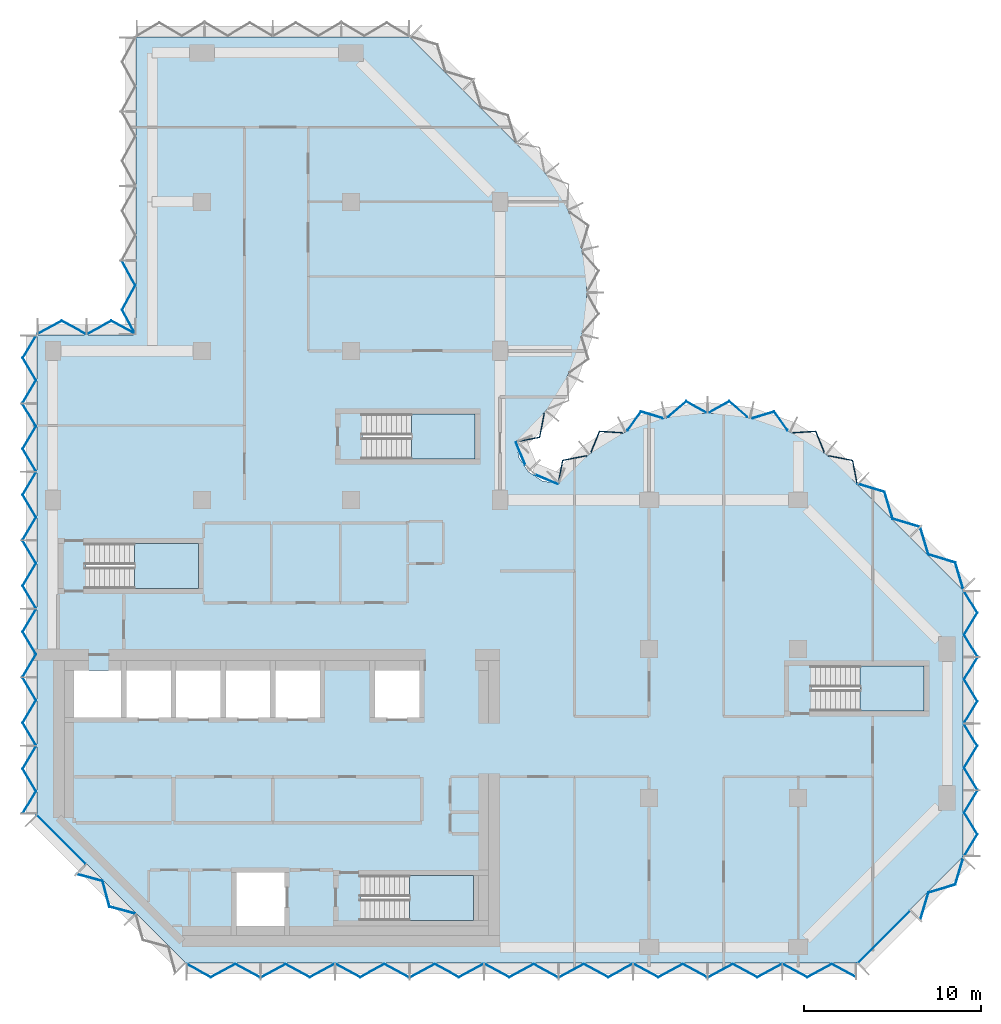
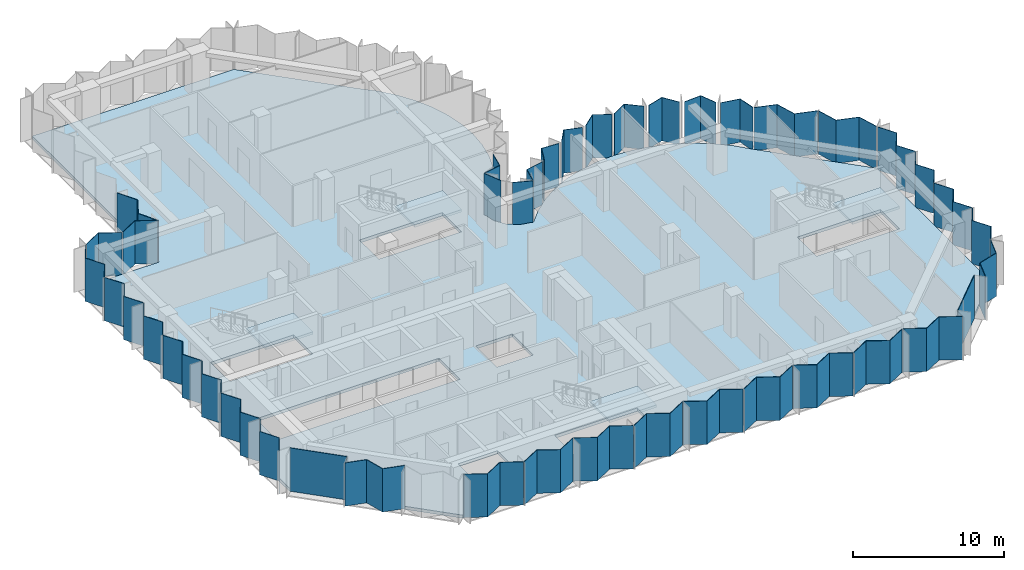
# One storey, part 3 of 10: 40 plates, 5 slabs, 15 elements without a shape of their own.
"""IFC4 building model written with IfcOpenShell, lengths in metres."""

from ifc_helpers import new_model, si_unit, direction, frame, origin, place, context, subcontext, project, spatial, polyline, outline, extrude, material, layer, layer_set, type_object, element, aggregate, save


model = new_model("IFC4")

# Units and contexts
model_context = context("Model", 3, precision=1e-05, world=origin(), true_north=direction((0.0, 1.0)))
body_context = subcontext(model_context, "Body", "Model", "MODEL_VIEW")
ifc_project = project(units=[si_unit("LENGTHUNIT", "METRE"), si_unit("AREAUNIT", "SQUARE_METRE"), si_unit("VOLUMEUNIT", "CUBIC_METRE"), si_unit("PLANEANGLEUNIT", "RADIAN"), si_unit("MASSUNIT", "GRAM", prefix="KILO")], contexts=[model_context])

# Site, building, storey
site_placement = place(None, origin())
site = spatial("IfcSite", under=ifc_project, at=site_placement, CompositionType="ELEMENT")
building_placement = place(site_placement, origin())
building = spatial("IfcBuilding", under=site, at=building_placement, Name="Brevane Broadcast Tower", CompositionType="ELEMENT")
storey_placement = place(building_placement, frame((0.0, 0.0, 195.60009765625)))
storey = spatial("IfcBuildingStorey", under=building, at=storey_placement, Name="L49", CompositionType="ELEMENT", Elevation=195.60009765625)

# Curtain wall, plates
ifc_material_1 = material(Name="Aluminium 6063-T6 bronze anodised", Category="aluminium")
curtain_wall_type = type_object("IfcCurtainWallType", Name="CW-1 curtain wall", PredefinedType="NOTDEFINED", material=ifc_material_1)
curtain_wall_1_placement = place(storey_placement, origin())
curtain_wall_1 = element("IfcCurtainWall", 1, at=curtain_wall_1_placement, inside=storey, type_object=curtain_wall_type, Name="CW-1 typical tilted unit L49 south face", PredefinedType="NOTDEFINED")
ifc_material_2 = material(Name="Laminated glass bronze-tinted", Category="glass")
ifc_layer_1 = layer(ifc_material_2, 0.0400390625)
ifc_layer_set_1 = layer_set([ifc_layer_1], Name="CW tall glass panel 40")
plate_type = type_object("IfcPlateType", Name="CW tall glass panel 40", PredefinedType="CURTAIN_PANEL", material=ifc_layer_set_1)
plate_1_placement = place(storey_placement, frame((0.0, 0.0, -0.150146484375)))
plate_1 = element("IfcPlate", 2, at=plate_1_placement, type_object=plate_type, Name="CW-1 glass panel", PredefinedType="CURTAIN_PANEL", context=body_context, shape_type="SweptSolid", body=[
    extrude(outline(polyline([(7.534912109375, -0.92724609375), (7.534912109375, -0.97265625), (8.91162109375, -1.717041015625), (10.288330078125, -0.97265625), (11.6650390625, -1.717041015625), (11.6650390625, -1.671630859375), (10.288330078125, -0.92724609375), (8.91162109375, -1.671630859375), (7.534912109375, -0.92724609375)])), origin(), (0.0, 0.0, 1.0), 3.5),
])
plate_2_placement = place(storey_placement, frame((0.0, 0.0, -0.150146484375)))
plate_2 = element("IfcPlate", 3, at=plate_2_placement, type_object=plate_type, Name="CW-1 glass panel", PredefinedType="CURTAIN_PANEL", context=body_context, shape_type="SweptSolid", body=[
    extrude(outline(polyline([(11.735107421875, -1.671630859375), (11.735107421875, -1.717041015625), (13.11181640625, -0.97265625), (14.48828125, -1.717041015625), (15.864990234375, -0.97265625), (15.864990234375, -0.92724609375), (14.48828125, -1.671630859375), (13.11181640625, -0.92724609375), (11.735107421875, -1.671630859375)])), origin(), (0.0, 0.0, 1.0), 3.5),
])
plate_3_placement = place(storey_placement, frame((0.0, 0.0, -0.150146484375)))
plate_3 = element("IfcPlate", 4, at=plate_3_placement, type_object=plate_type, Name="CW-1 glass panel", PredefinedType="CURTAIN_PANEL", context=body_context, shape_type="SweptSolid", body=[
    extrude(outline(polyline([(15.93505859375, -0.92724609375), (15.93505859375, -0.97265625), (17.311767578125, -1.717041015625), (18.688232421875, -0.97265625), (20.06494140625, -1.717041015625), (20.06494140625, -1.671630859375), (18.688232421875, -0.92724609375), (17.311767578125, -1.671630859375), (15.93505859375, -0.92724609375)])), origin(), (0.0, 0.0, 1.0), 3.5),
])
plate_4_placement = place(storey_placement, frame((0.0, 0.0, -0.150146484375)))
plate_4 = element("IfcPlate", 5, at=plate_4_placement, type_object=plate_type, Name="CW-1 glass panel", PredefinedType="CURTAIN_PANEL", context=body_context, shape_type="SweptSolid", body=[
    extrude(outline(polyline([(20.135009765625, -1.671630859375), (20.135009765625, -1.717041015625), (21.51171875, -0.97265625), (22.88818359375, -1.717041015625), (24.264892578125, -0.97265625), (24.264892578125, -0.92724609375), (22.88818359375, -1.671630859375), (21.51171875, -0.92724609375), (20.135009765625, -1.671630859375)])), origin(), (0.0, 0.0, 1.0), 3.5),
])
plate_5_placement = place(storey_placement, frame((0.0, 0.0, -0.150146484375)))
plate_5 = element("IfcPlate", 6, at=plate_5_placement, type_object=plate_type, Name="CW-1 glass panel", PredefinedType="CURTAIN_PANEL", context=body_context, shape_type="SweptSolid", body=[
    extrude(outline(polyline([(24.3349609375, -0.92724609375), (24.3349609375, -0.97265625), (25.711669921875, -1.717041015625), (27.08837890625, -0.97265625), (28.465087890625, -1.717041015625), (28.465087890625, -1.671630859375), (27.08837890625, -0.92724609375), (25.711669921875, -1.671630859375), (24.3349609375, -0.92724609375)])), origin(), (0.0, 0.0, 1.0), 3.5),
])
plate_6_placement = place(storey_placement, frame((0.0, 0.0, -0.150146484375)))
plate_6 = element("IfcPlate", 7, at=plate_6_placement, type_object=plate_type, Name="CW-1 glass panel", PredefinedType="CURTAIN_PANEL", context=body_context, shape_type="SweptSolid", body=[
    extrude(outline(polyline([(28.534912109375, -1.671630859375), (28.534912109375, -1.717041015625), (29.91162109375, -0.97265625), (31.288330078125, -1.717041015625), (32.6650390625, -0.97265625), (32.6650390625, -0.92724609375), (31.288330078125, -1.671630859375), (29.91162109375, -0.92724609375), (28.534912109375, -1.671630859375)])), origin(), (0.0, 0.0, 1.0), 3.5),
])
plate_7_placement = place(storey_placement, frame((0.0, 0.0, -0.150146484375)))
plate_7 = element("IfcPlate", 8, at=plate_7_placement, type_object=plate_type, Name="CW-1 glass panel", PredefinedType="CURTAIN_PANEL", context=body_context, shape_type="SweptSolid", body=[
    extrude(outline(polyline([(32.735107421875, -0.92724609375), (32.735107421875, -0.97265625), (34.11181640625, -1.717041015625), (35.48828125, -0.97265625), (36.864990234375, -1.717041015625), (36.864990234375, -1.671630859375), (35.48828125, -0.92724609375), (34.11181640625, -1.671630859375), (32.735107421875, -0.92724609375)])), origin(), (0.0, 0.0, 1.0), 3.5),
])
plate_8_placement = place(storey_placement, frame((0.0, 0.0, -0.150146484375)))
plate_8 = element("IfcPlate", 9, at=plate_8_placement, type_object=plate_type, Name="CW-1 glass panel", PredefinedType="CURTAIN_PANEL", context=body_context, shape_type="SweptSolid", body=[
    extrude(outline(polyline([(36.93505859375, -1.671630859375), (36.93505859375, -1.717041015625), (38.311767578125, -0.97265625), (39.688232421875, -1.717041015625), (41.06494140625, -0.97265625), (41.06494140625, -0.92724609375), (39.688232421875, -1.671630859375), (38.311767578125, -0.92724609375), (36.93505859375, -1.671630859375)])), origin(), (0.0, 0.0, 1.0), 3.5),
])
plate_9_placement = place(storey_placement, frame((0.0, 0.0, -0.150146484375)))
plate_9 = element("IfcPlate", 10, at=plate_9_placement, type_object=plate_type, Name="CW-1 glass panel", PredefinedType="CURTAIN_PANEL", context=body_context, shape_type="SweptSolid", body=[
    extrude(outline(polyline([(41.135009765625, -0.92724609375), (41.135009765625, -0.97265625), (42.51171875, -1.717041015625), (43.88818359375, -0.97265625), (45.264892578125, -1.717041015625), (45.264892578125, -1.671630859375), (43.88818359375, -0.92724609375), (42.51171875, -1.671630859375), (41.135009765625, -0.92724609375)])), origin(), (0.0, 0.0, 1.0), 3.5),
])
aggregate(curtain_wall_1, [plate_1, plate_2, plate_3, plate_4, plate_5, plate_6, plate_7, plate_8, plate_9])

curtain_wall_2_placement = place(storey_placement, origin())
curtain_wall_2 = element("IfcCurtainWall", 11, at=curtain_wall_2_placement, inside=storey, type_object=curtain_wall_type, Name="CW-1 typical tilted unit L49 south-east chamfer", PredefinedType="NOTDEFINED")
plate_10_placement = place(storey_placement, frame((0.0, 0.0, -0.150146484375)))
plate_10 = element("IfcPlate", 12, at=plate_10_placement, type_object=plate_type, Name="CW-1 glass panel", PredefinedType="CURTAIN_PANEL", context=body_context, shape_type="SweptSolid", body=[
    extrude(outline(polyline([(45.345947265625, -0.896484375), (48.29638671875, 2.053955078125), (48.32470703125, 2.02587890625), (45.374267578125, -0.9248046875), (45.345947265625, -0.896484375)])), origin(), (0.0, 0.0, 1.0), 3.5),
])
plate_11_placement = place(storey_placement, frame((0.0, 0.0, -0.150146484375)))
plate_11 = element("IfcPlate", 13, at=plate_11_placement, type_object=plate_type, Name="CW-1 glass panel", PredefinedType="CURTAIN_PANEL", context=body_context, shape_type="SweptSolid", body=[
    extrude(outline(polyline([(48.870361328125, 1.5791015625), (48.902587890625, 1.547119140625), (49.359619140625, 3.056884765625), (50.869384765625, 3.513916015625), (51.32666015625, 5.02392578125), (51.294677734375, 5.055908203125), (50.83740234375, 3.546142578125), (49.32763671875, 3.0888671875), (48.870361328125, 1.5791015625)])), origin(), (0.0, 0.0, 1.0), 3.5),
])
aggregate(curtain_wall_2, [plate_10, plate_11])

curtain_wall_3_placement = place(storey_placement, origin())
curtain_wall_3 = element("IfcCurtainWall", 14, at=curtain_wall_3_placement, inside=storey, type_object=curtain_wall_type, Name="CW-1 typical tilted unit L49 east end", PredefinedType="NOTDEFINED")
plate_12_placement = place(storey_placement, frame((0.0, 0.0, -0.150146484375)))
plate_12 = element("IfcPlate", 15, at=plate_12_placement, type_object=plate_type, Name="CW-1 glass panel", PredefinedType="CURTAIN_PANEL", context=body_context, shape_type="SweptSolid", body=[
    extrude(outline(polyline([(51.32666015625, 5.135009765625), (51.373291015625, 5.135009765625), (52.117919921875, 6.36181640625), (51.373291015625, 7.58837890625), (52.117919921875, 8.81494140625), (52.071044921875, 8.81494140625), (51.32666015625, 7.58837890625), (52.071044921875, 6.36181640625), (51.32666015625, 5.135009765625)])), origin(), (0.0, 0.0, 1.0), 3.5),
])
plate_13_placement = place(storey_placement, frame((0.0, 0.0, -0.150146484375)))
plate_13 = element("IfcPlate", 16, at=plate_13_placement, type_object=plate_type, Name="CW-1 glass panel", PredefinedType="CURTAIN_PANEL", context=body_context, shape_type="SweptSolid", body=[
    extrude(outline(polyline([(52.071044921875, 8.885009765625), (52.117919921875, 8.885009765625), (51.373291015625, 10.11181640625), (52.117919921875, 11.33837890625), (51.373291015625, 12.56494140625), (51.32666015625, 12.56494140625), (52.071044921875, 11.33837890625), (51.32666015625, 10.11181640625), (52.071044921875, 8.885009765625)])), origin(), (0.0, 0.0, 1.0), 3.5),
])
plate_14_placement = place(storey_placement, frame((0.0, 0.0, -0.150146484375)))
plate_14 = element("IfcPlate", 17, at=plate_14_placement, type_object=plate_type, Name="CW-1 glass panel", PredefinedType="CURTAIN_PANEL", context=body_context, shape_type="SweptSolid", body=[
    extrude(outline(polyline([(51.32666015625, 12.635009765625), (51.373291015625, 12.635009765625), (52.117919921875, 13.86181640625), (51.373291015625, 15.08837890625), (52.117919921875, 16.31494140625), (52.071044921875, 16.31494140625), (51.32666015625, 15.08837890625), (52.071044921875, 13.86181640625), (51.32666015625, 12.635009765625)])), origin(), (0.0, 0.0, 1.0), 3.5),
])
plate_15_placement = place(storey_placement, frame((0.0, 0.0, -0.150146484375)))
plate_15 = element("IfcPlate", 18, at=plate_15_placement, type_object=plate_type, Name="CW-1 glass panel", PredefinedType="CURTAIN_PANEL", context=body_context, shape_type="SweptSolid", body=[
    extrude(outline(polyline([(52.071044921875, 16.385009765625), (52.117919921875, 16.385009765625), (51.373291015625, 17.61181640625), (52.117919921875, 18.83837890625), (51.373291015625, 20.06494140625), (51.32666015625, 20.06494140625), (52.071044921875, 18.83837890625), (51.32666015625, 17.61181640625), (52.071044921875, 16.385009765625)])), origin(), (0.0, 0.0, 1.0), 3.5),
])
aggregate(curtain_wall_3, [plate_12, plate_13, plate_14, plate_15])

curtain_wall_4_placement = place(storey_placement, origin())
curtain_wall_4 = element("IfcCurtainWall", 19, at=curtain_wall_4_placement, inside=storey, type_object=curtain_wall_type, Name="CW-1 typical tilted unit L49 north-east chamfer", PredefinedType="NOTDEFINED")
plate_16_placement = place(storey_placement, frame((0.0, 0.0, -0.150146484375)))
plate_16 = element("IfcPlate", 20, at=plate_16_placement, type_object=plate_type, Name="CW-1 glass panel", PredefinedType="CURTAIN_PANEL", context=body_context, shape_type="SweptSolid", body=[
    extrude(outline(polyline([(51.294677734375, 20.14404296875), (51.32666015625, 20.176025390625), (50.869384765625, 21.68603515625), (49.359619140625, 22.14306640625), (48.902587890625, 23.653076171875), (48.870361328125, 23.620849609375), (49.32763671875, 22.111083984375), (50.83740234375, 21.65380859375), (51.294677734375, 20.14404296875)])), origin(), (0.0, 0.0, 1.0), 3.5),
])
plate_17_placement = place(storey_placement, frame((0.0, 0.0, -0.150146484375)))
plate_17 = element("IfcPlate", 21, at=plate_17_placement, type_object=plate_type, Name="CW-1 glass panel", PredefinedType="CURTAIN_PANEL", context=body_context, shape_type="SweptSolid", body=[
    extrude(outline(polyline([(48.82080078125, 23.67041015625), (48.85302734375, 23.702392578125), (47.343017578125, 24.15966796875), (46.885986328125, 25.66943359375), (45.376220703125, 26.126708984375), (45.343994140625, 26.094482421875), (46.85400390625, 25.637451171875), (47.31103515625, 24.127685546875), (48.82080078125, 23.67041015625)])), origin(), (0.0, 0.0, 1.0), 3.5),
])
aggregate(curtain_wall_4, [plate_16, plate_17])

curtain_wall_5_placement = place(storey_placement, origin())
curtain_wall_5 = element("IfcCurtainWall", 22, at=curtain_wall_5_placement, inside=storey, type_object=curtain_wall_type, Name="CW-1 typical tilted unit L49 east bow", PredefinedType="NOTDEFINED")
plate_18_placement = place(storey_placement, frame((0.0, 0.0, -0.150146484375)))
plate_18 = element("IfcPlate", 23, at=plate_18_placement, type_object=plate_type, Name="CW-1 glass panel", PredefinedType="CURTAIN_PANEL", context=body_context, shape_type="SweptSolid", body=[
    extrude(outline(polyline([(45.2939453125, 26.14404296875), (45.327880859375, 26.17919921875), (45.086181640625, 27.447265625), (43.738525390625, 27.71142578125), (43.7109375, 27.67626953125), (45.052001953125, 27.4130859375), (45.2939453125, 26.14404296875)])), origin(), (0.0, 0.0, 1.0), 3.5),
])
plate_19_placement = place(storey_placement, frame((0.0, 0.0, -0.150146484375)))
plate_19 = element("IfcPlate", 24, at=plate_19_placement, type_object=plate_type, Name="CW-1 glass panel", PredefinedType="CURTAIN_PANEL", context=body_context, shape_type="SweptSolid", body=[
    extrude(outline(polyline([(43.45703125, 27.8759765625), (43.4853515625, 27.912109375), (43.00390625, 29.089111328125), (41.710693359375, 29.006591796875), (41.69091796875, 28.96533203125), (42.977783203125, 29.04736328125), (43.45703125, 27.8759765625)])), origin(), (0.0, 0.0, 1.0), 3.5),
])
plate_20_placement = place(storey_placement, frame((0.0, 0.0, -0.150146484375)))
plate_20 = element("IfcPlate", 25, at=plate_20_placement, type_object=plate_type, Name="CW-1 glass panel", PredefinedType="CURTAIN_PANEL", context=body_context, shape_type="SweptSolid", body=[
    extrude(outline(polyline([(41.3994140625, 29.104248046875), (41.4189453125, 29.1455078125), (40.667724609375, 30.20166015625), (39.45068359375, 29.83349609375), (39.440185546875, 29.78857421875), (40.65185546875, 30.155029296875), (41.3994140625, 29.104248046875)])), origin(), (0.0, 0.0, 1.0), 3.5),
])
plate_21_placement = place(storey_placement, frame((0.0, 0.0, -0.150146484375)))
plate_21 = element("IfcPlate", 26, at=plate_21_placement, type_object=plate_type, Name="CW-1 glass panel", PredefinedType="CURTAIN_PANEL", context=body_context, shape_type="SweptSolid", body=[
    extrude(outline(polyline([(39.125, 29.859619140625), (39.13525390625, 29.903564453125), (38.116943359375, 30.779296875), (37.008056640625, 30.15869140625), (37.008056640625, 30.11279296875), (38.112060546875, 30.730712890625), (39.125, 29.859619140625)])), origin(), (0.0, 0.0, 1.0), 3.5),
])
plate_22_placement = place(storey_placement, frame((0.0, 0.0, -0.150146484375)))
plate_22 = element("IfcPlate", 27, at=plate_22_placement, type_object=plate_type, Name="CW-1 glass panel", PredefinedType="CURTAIN_PANEL", context=body_context, shape_type="SweptSolid", body=[
    extrude(outline(polyline([(36.7919921875, 30.11279296875), (36.7919921875, 30.15869140625), (35.68310546875, 30.779296875), (34.664794921875, 29.903564453125), (34.6748046875, 29.859619140625), (35.68798828125, 30.730712890625), (36.7919921875, 30.11279296875)])), origin(), (0.0, 0.0, 1.0), 3.5),
])
plate_23_placement = place(storey_placement, frame((0.0, 0.0, -0.150146484375)))
plate_23 = element("IfcPlate", 28, at=plate_23_placement, type_object=plate_type, Name="CW-1 glass panel", PredefinedType="CURTAIN_PANEL", context=body_context, shape_type="SweptSolid", body=[
    extrude(outline(polyline([(34.359619140625, 29.78857421875), (34.349365234375, 29.83349609375), (33.132080078125, 30.20166015625), (32.381103515625, 29.1455078125), (32.400634765625, 29.104248046875), (33.148193359375, 30.155029296875), (34.359619140625, 29.78857421875)])), origin(), (0.0, 0.0, 1.0), 3.5),
])
plate_24_placement = place(storey_placement, frame((0.0, 0.0, -0.150146484375)))
plate_24 = element("IfcPlate", 29, at=plate_24_placement, type_object=plate_type, Name="CW-1 glass panel", PredefinedType="CURTAIN_PANEL", context=body_context, shape_type="SweptSolid", body=[
    extrude(outline(polyline([(32.10888671875, 28.96533203125), (32.08935546875, 29.006591796875), (30.7958984375, 29.089111328125), (30.314697265625, 27.912109375), (30.343017578125, 27.8759765625), (30.822265625, 29.04736328125), (32.10888671875, 28.96533203125)])), origin(), (0.0, 0.0, 1.0), 3.5),
])
plate_25_placement = place(storey_placement, frame((0.0, 0.0, -0.150146484375)))
plate_25 = element("IfcPlate", 30, at=plate_25_placement, type_object=plate_type, Name="CW-1 glass panel", PredefinedType="CURTAIN_PANEL", context=body_context, shape_type="SweptSolid", body=[
    extrude(outline(polyline([(30.089111328125, 27.67626953125), (30.0615234375, 27.71142578125), (28.7138671875, 27.447265625), (28.471923828125, 26.17919921875), (28.506103515625, 26.14404296875), (28.748046875, 27.4130859375), (30.089111328125, 27.67626953125)])), origin(), (0.0, 0.0, 1.0), 3.5),
])
aggregate(curtain_wall_5, [plate_18, plate_19, plate_20, plate_21, plate_22, plate_23, plate_24, plate_25])

curtain_wall_6_placement = place(storey_placement, origin())
curtain_wall_6 = element("IfcCurtainWall", 31, at=curtain_wall_6_placement, inside=storey, type_object=curtain_wall_type, Name="CW-1 typical tilted unit L49 inner corner", PredefinedType="NOTDEFINED")
plate_26_placement = place(storey_placement, frame((0.0, 0.0, -0.150146484375)))
plate_26 = element("IfcPlate", 32, at=plate_26_placement, type_object=plate_type, Name="CW-1 glass panel", PredefinedType="CURTAIN_PANEL", context=body_context, shape_type="SweptSolid", body=[
    extrude(outline(polyline([(28.45166015625, 26.07470703125), (28.466796875, 26.111572265625), (27.2021484375, 26.635498046875), (27.17138671875, 26.60498046875), (28.45166015625, 26.07470703125)])), origin(), (0.0, 0.0, 1.0), 3.5),
])
plate_27_placement = place(storey_placement, frame((0.0, 0.0, -0.150146484375)))
plate_27 = element("IfcPlate", 33, at=plate_27_placement, type_object=plate_type, Name="CW-1 glass panel", PredefinedType="CURTAIN_PANEL", context=body_context, shape_type="SweptSolid", body=[
    extrude(outline(polyline([(26.60498046875, 27.17138671875), (26.635498046875, 27.2021484375), (26.111572265625, 28.466796875), (26.07470703125, 28.45166015625), (26.60498046875, 27.17138671875)])), origin(), (0.0, 0.0, 1.0), 3.5),
])
aggregate(curtain_wall_6, [plate_26, plate_27])

# Curtain wall, plate
curtain_wall_7_placement = place(storey_placement, origin())
curtain_wall_7 = element("IfcCurtainWall", 34, at=curtain_wall_7_placement, inside=storey, type_object=curtain_wall_type, Name="CW-1 typical tilted unit L49 north bow", PredefinedType="NOTDEFINED")
plate_28_placement = place(storey_placement, frame((0.0, 0.0, -0.150146484375)))
plate_28 = element("IfcPlate", 35, at=plate_28_placement, type_object=plate_type, Name="CW-1 glass panel", PredefinedType="CURTAIN_PANEL", context=body_context, shape_type="SweptSolid", body=[
    extrude(outline(polyline([(26.14404296875, 28.506103515625), (26.17919921875, 28.471923828125), (27.447265625, 28.7138671875), (27.71142578125, 30.0615234375), (27.67626953125, 30.089111328125), (27.4130859375, 28.748046875), (26.14404296875, 28.506103515625)])), origin(), (0.0, 0.0, 1.0), 3.5),
])
aggregate(curtain_wall_7, [plate_28])

curtain_wall_8_placement = place(storey_placement, origin())
curtain_wall_8 = element("IfcCurtainWall", 36, at=curtain_wall_8_placement, inside=storey, type_object=curtain_wall_type, Name="CW-1 typical tilted unit L49 north wing west face, lower block", PredefinedType="NOTDEFINED")
plate_29_placement = place(storey_placement, frame((0.0, 0.0, -0.150146484375)))
plate_29 = element("IfcPlate", 37, at=plate_29_placement, type_object=plate_type, Name="CW-1 glass panel", PredefinedType="CURTAIN_PANEL", context=body_context, shape_type="SweptSolid", body=[
    extrude(outline(polyline([(3.92822265625, 38.6650390625), (3.8828125, 38.6650390625), (4.627197265625, 37.288330078125), (3.8828125, 35.91162109375), (4.627197265625, 34.534912109375), (4.672607421875, 34.534912109375), (3.92822265625, 35.91162109375), (4.672607421875, 37.288330078125), (3.92822265625, 38.6650390625)])), origin(), (0.0, 0.0, 1.0), 3.5),
])
aggregate(curtain_wall_8, [plate_29])

# Curtain wall, plates
curtain_wall_9_placement = place(storey_placement, origin())
curtain_wall_9 = element("IfcCurtainWall", 38, at=curtain_wall_9_placement, inside=storey, type_object=curtain_wall_type, Name="CW-1 typical tilted unit L49 north wing west return, lower block", PredefinedType="NOTDEFINED")
plate_30_placement = place(storey_placement, frame((0.0, 0.0, -0.150146484375)))
plate_30 = element("IfcPlate", 39, at=plate_30_placement, type_object=plate_type, Name="CW-1 glass panel", PredefinedType="CURTAIN_PANEL", context=body_context, shape_type="SweptSolid", body=[
    extrude(outline(polyline([(4.6650390625, 34.527099609375), (4.6650390625, 34.57275390625), (3.300048828125, 35.317138671875), (1.93505859375, 34.57275390625), (1.93505859375, 34.527099609375), (3.300048828125, 35.271484375), (4.6650390625, 34.527099609375)])), origin(), (0.0, 0.0, 1.0), 3.5),
])
plate_31_placement = place(storey_placement, frame((0.0, 0.0, -0.150146484375)))
plate_31 = element("IfcPlate", 40, at=plate_31_placement, type_object=plate_type, Name="CW-1 glass panel", PredefinedType="CURTAIN_PANEL", context=body_context, shape_type="SweptSolid", body=[
    extrude(outline(polyline([(1.864990234375, 34.527099609375), (1.864990234375, 34.57275390625), (0.5, 35.317138671875), (-0.864990234375, 34.57275390625), (-0.864990234375, 34.527099609375), (0.5, 35.271484375), (1.864990234375, 34.527099609375)])), origin(), (0.0, 0.0, 1.0), 3.5),
])
aggregate(curtain_wall_9, [plate_30, plate_31])

curtain_wall_10_placement = place(storey_placement, origin())
curtain_wall_10 = element("IfcCurtainWall", 41, at=curtain_wall_10_placement, inside=storey, type_object=curtain_wall_type, Name="CW-1 typical tilted unit L49 west face", PredefinedType="NOTDEFINED")
plate_32_placement = place(storey_placement, frame((0.0, 0.0, -0.150146484375)))
plate_32 = element("IfcPlate", 42, at=plate_32_placement, type_object=plate_type, Name="CW-1 glass panel", PredefinedType="CURTAIN_PANEL", context=body_context, shape_type="SweptSolid", body=[
    extrude(outline(polyline([(-0.9267578125, 34.465087890625), (-0.97314453125, 34.465087890625), (-1.717529296875, 33.20263671875), (-0.97314453125, 31.940185546875), (-1.717529296875, 30.677978515625), (-1.671142578125, 30.677978515625), (-0.9267578125, 31.940185546875), (-1.671142578125, 33.20263671875), (-0.9267578125, 34.465087890625)])), origin(), (0.0, 0.0, 1.0), 3.5),
])
plate_33_placement = place(storey_placement, frame((0.0, 0.0, -0.150146484375)))
plate_33 = element("IfcPlate", 43, at=plate_33_placement, type_object=plate_type, Name="CW-1 glass panel", PredefinedType="CURTAIN_PANEL", context=body_context, shape_type="SweptSolid", body=[
    extrude(outline(polyline([(-1.671142578125, 30.60791015625), (-1.717529296875, 30.60791015625), (-0.97314453125, 29.345458984375), (-1.717529296875, 28.0830078125), (-0.97314453125, 26.82080078125), (-0.9267578125, 26.82080078125), (-1.671142578125, 28.0830078125), (-0.9267578125, 29.345458984375), (-1.671142578125, 30.60791015625)])), origin(), (0.0, 0.0, 1.0), 3.5),
])
plate_34_placement = place(storey_placement, frame((0.0, 0.0, -0.150146484375)))
plate_34 = element("IfcPlate", 44, at=plate_34_placement, type_object=plate_type, Name="CW-1 glass panel", PredefinedType="CURTAIN_PANEL", context=body_context, shape_type="SweptSolid", body=[
    extrude(outline(polyline([(-0.9267578125, 26.750732421875), (-0.97314453125, 26.750732421875), (-1.717529296875, 25.48828125), (-0.97314453125, 24.22607421875), (-1.717529296875, 22.963623046875), (-1.671142578125, 22.963623046875), (-0.9267578125, 24.22607421875), (-1.671142578125, 25.48828125), (-0.9267578125, 26.750732421875)])), origin(), (0.0, 0.0, 1.0), 3.5),
])
plate_35_placement = place(storey_placement, frame((0.0, 0.0, -0.150146484375)))
plate_35 = element("IfcPlate", 45, at=plate_35_placement, type_object=plate_type, Name="CW-1 glass panel", PredefinedType="CURTAIN_PANEL", context=body_context, shape_type="SweptSolid", body=[
    extrude(outline(polyline([(-1.671142578125, 22.8935546875), (-1.717529296875, 22.8935546875), (-0.97314453125, 21.631103515625), (-1.717529296875, 20.368896484375), (-0.97314453125, 19.1064453125), (-0.9267578125, 19.1064453125), (-1.671142578125, 20.368896484375), (-0.9267578125, 21.631103515625), (-1.671142578125, 22.8935546875)])), origin(), (0.0, 0.0, 1.0), 3.5),
])
plate_36_placement = place(storey_placement, frame((0.0, 0.0, -0.150146484375)))
plate_36 = element("IfcPlate", 46, at=plate_36_placement, type_object=plate_type, Name="CW-1 glass panel", PredefinedType="CURTAIN_PANEL", context=body_context, shape_type="SweptSolid", body=[
    extrude(outline(polyline([(-0.9267578125, 19.036376953125), (-0.97314453125, 19.036376953125), (-1.717529296875, 17.77392578125), (-0.97314453125, 16.51171875), (-1.717529296875, 15.249267578125), (-1.671142578125, 15.249267578125), (-0.9267578125, 16.51171875), (-1.671142578125, 17.77392578125), (-0.9267578125, 19.036376953125)])), origin(), (0.0, 0.0, 1.0), 3.5),
])
plate_37_placement = place(storey_placement, frame((0.0, 0.0, -0.150146484375)))
plate_37 = element("IfcPlate", 47, at=plate_37_placement, type_object=plate_type, Name="CW-1 glass panel", PredefinedType="CURTAIN_PANEL", context=body_context, shape_type="SweptSolid", body=[
    extrude(outline(polyline([(-1.671142578125, 15.17919921875), (-1.717529296875, 15.17919921875), (-0.97314453125, 13.9169921875), (-1.717529296875, 12.654541015625), (-0.97314453125, 11.39208984375), (-0.9267578125, 11.39208984375), (-1.671142578125, 12.654541015625), (-0.9267578125, 13.9169921875), (-1.671142578125, 15.17919921875)])), origin(), (0.0, 0.0, 1.0), 3.5),
])
plate_38_placement = place(storey_placement, frame((0.0, 0.0, -0.150146484375)))
plate_38 = element("IfcPlate", 48, at=plate_38_placement, type_object=plate_type, Name="CW-1 glass panel", PredefinedType="CURTAIN_PANEL", context=body_context, shape_type="SweptSolid", body=[
    extrude(outline(polyline([(-0.9267578125, 11.322021484375), (-0.97314453125, 11.322021484375), (-1.717529296875, 10.059814453125), (-0.97314453125, 8.79736328125), (-1.717529296875, 7.534912109375), (-1.671142578125, 7.534912109375), (-0.9267578125, 8.79736328125), (-1.671142578125, 10.059814453125), (-0.9267578125, 11.322021484375)])), origin(), (0.0, 0.0, 1.0), 3.5),
])
aggregate(curtain_wall_10, [plate_32, plate_33, plate_34, plate_35, plate_36, plate_37, plate_38])

curtain_wall_11_placement = place(storey_placement, origin())
curtain_wall_11 = element("IfcCurtainWall", 49, at=curtain_wall_11_placement, inside=storey, type_object=curtain_wall_type, Name="CW-1 typical tilted unit L49 south-west chamfer", PredefinedType="NOTDEFINED")
plate_39_placement = place(storey_placement, frame((0.0, 0.0, -0.150146484375)))
plate_39 = element("IfcPlate", 50, at=plate_39_placement, type_object=plate_type, Name="CW-1 glass panel", PredefinedType="CURTAIN_PANEL", context=body_context, shape_type="SweptSolid", body=[
    extrude(outline(polyline([(-0.896484375, 7.4541015625), (1.85400390625, 4.70361328125), (1.82568359375, 4.67529296875), (-0.9248046875, 7.42578125), (-0.896484375, 7.4541015625)])), origin(), (0.0, 0.0, 1.0), 3.5),
])
plate_40_placement = place(storey_placement, frame((0.0, 0.0, -0.150146484375)))
plate_40 = element("IfcPlate", 51, at=plate_40_placement, type_object=plate_type, Name="CW-1 glass panel", PredefinedType="CURTAIN_PANEL", context=body_context, shape_type="SweptSolid", body=[
    extrude(outline(polyline([(1.37939453125, 4.1298828125), (1.3466796875, 4.09716796875), (2.789794921875, 3.706787109375), (3.180419921875, 2.263671875), (4.62353515625, 1.873046875), (4.65625, 1.90576171875), (3.212890625, 2.296142578125), (2.822509765625, 3.739501953125), (1.37939453125, 4.1298828125)])), origin(), (0.0, 0.0, 1.0), 3.5),
])
aggregate(curtain_wall_11, [plate_39, plate_40])

# Stair, slab
ifc_material_3 = material(Name="Concrete C50/60", Category="concrete")
stair_type = type_object("IfcStairType", Name="Exit stair 22 risers", PredefinedType="HALF_TURN_STAIR", material=ifc_material_3)
stair_1_placement = place(storey_placement, origin())
stair_1 = element("IfcStair", 52, at=stair_1_placement, inside=storey, type_object=stair_type, Name="L49 Exit stair ST-1", PredefinedType="HALF_TURN_STAIR")
ifc_layer_2 = layer(ifc_material_3, 0.199951171875)
ifc_layer_set_2 = layer_set([ifc_layer_2], Name="Exit stair landing")
slab_type_1 = type_object("IfcSlabType", Name="Exit stair landing", PredefinedType="LANDING", material=ifc_layer_set_2)
slab_1_placement = place(storey_placement, frame((0.0, 0.0, 1.599853515625)))
slab_1 = element("IfcSlab", 53, at=slab_1_placement, type_object=slab_type_1, Name="ST-1 landing 1", PredefinedType="LANDING", context=body_context, shape_type="SweptSolid", body=[
    extrude(outline(polyline([(4.60009765625, 20.199951171875), (8.199951171875, 20.199951171875), (8.199951171875, 22.75), (4.60009765625, 22.75), (4.60009765625, 20.199951171875)])), origin(), (0.0, 0.0, 1.0), 0.199951171875),
])
aggregate(stair_1, [slab_1])

stair_2_placement = place(storey_placement, origin())
stair_2 = element("IfcStair", 54, at=stair_2_placement, inside=storey, type_object=stair_type, Name="L49 Exit stair ST-2", PredefinedType="HALF_TURN_STAIR")
slab_2_placement = place(storey_placement, frame((0.0, 0.0, 1.599853515625)))
slab_2 = element("IfcSlab", 55, at=slab_2_placement, type_object=slab_type_1, Name="ST-2 landing 1", PredefinedType="LANDING", context=body_context, shape_type="SweptSolid", body=[
    extrude(outline(polyline([(20.10009765625, 1.5), (23.699951171875, 1.5), (23.699951171875, 4.050048828125), (20.10009765625, 4.050048828125), (20.10009765625, 1.5)])), origin(), (0.0, 0.0, 1.0), 0.199951171875),
])
aggregate(stair_2, [slab_2])

stair_3_placement = place(storey_placement, origin())
stair_3 = element("IfcStair", 56, at=stair_3_placement, inside=storey, type_object=stair_type, Name="L49 Exit stair ST-3", PredefinedType="HALF_TURN_STAIR")
slab_3_placement = place(storey_placement, frame((0.0, 0.0, 1.599853515625)))
slab_3 = element("IfcSlab", 57, at=slab_3_placement, type_object=slab_type_1, Name="ST-3 landing 1", PredefinedType="LANDING", context=body_context, shape_type="SweptSolid", body=[
    extrude(outline(polyline([(20.199951171875, 27.5), (23.800048828125, 27.5), (23.800048828125, 30.050048828125), (20.199951171875, 30.050048828125), (20.199951171875, 27.5)])), origin(), (0.0, 0.0, 1.0), 0.199951171875),
])
aggregate(stair_3, [slab_3])

stair_4_placement = place(storey_placement, origin())
stair_4 = element("IfcStair", 58, at=stair_4_placement, inside=storey, type_object=stair_type, Name="L49 Exit stair ST-4", PredefinedType="HALF_TURN_STAIR")
slab_4_placement = place(storey_placement, frame((0.0, 0.0, 1.599853515625)))
slab_4 = element("IfcSlab", 59, at=slab_4_placement, type_object=slab_type_1, Name="ST-4 landing 1", PredefinedType="LANDING", context=body_context, shape_type="SweptSolid", body=[
    extrude(outline(polyline([(45.5, 13.300048828125), (49.10009765625, 13.300048828125), (49.10009765625, 15.85009765625), (45.5, 15.85009765625), (45.5, 13.300048828125)])), origin(), (0.0, 0.0, 1.0), 0.199951171875),
])
aggregate(stair_4, [slab_4])

# Slab
ifc_material_4 = material(Name="Concrete C40/50", Category="concrete")
ifc_layer_3 = layer(ifc_material_4, 0.25)
ifc_layer_set_3 = layer_set([ifc_layer_3], Name="RC FLOOR SLAB 250 C40/50")
slab_type_2 = type_object("IfcSlabType", Name="RC FLOOR SLAB 250 C40/50", PredefinedType="FLOOR", material=ifc_layer_set_3)
slab_5_placement = place(storey_placement, frame((0.0, 0.0, -0.25)))
element("IfcSlab", 60, at=slab_5_placement, inside=storey, type_object=slab_type_2, Name="SL250 L49", PredefinedType="FLOOR", context=body_context, shape_type="SweptSolid", body=[
    extrude(outline(polyline([(-0.89990234375, 7.5), (-0.89990234375, 34.5), (4.699951171875, 34.5), (4.699951171875, 51.300048828125), (20.10009765625, 51.300048828125), (26.10009765625, 45.300048828125), (27.10888671875, 44.36865234375), (27.99169921875, 43.317138671875), (28.734130859375, 42.162353515625), (29.324462890625, 40.922607421875), (29.7529296875, 39.618408203125), (30.012939453125, 38.270263671875), (30.10009765625, 36.89990234375), (30.012939453125, 35.52978515625), (29.7529296875, 34.181640625), (29.324462890625, 32.877197265625), (28.734130859375, 31.6376953125), (27.99169921875, 30.48291015625), (27.10888671875, 29.431396484375), (26.10009765625, 28.5), (26.28271484375, 27.58154296875), (26.802978515625, 26.802978515625), (27.58154296875, 26.28271484375), (28.5, 26.10009765625), (29.431396484375, 27.10888671875), (30.48291015625, 27.99169921875), (31.6376953125, 28.734130859375), (32.877197265625, 29.324462890625), (34.181640625, 29.7529296875), (35.52978515625, 30.012939453125), (36.89990234375, 30.10009765625), (38.270263671875, 30.012939453125), (39.618408203125, 29.7529296875), (40.922607421875, 29.324462890625), (42.162353515625, 28.734130859375), (43.317138671875, 27.99169921875), (44.36865234375, 27.10888671875), (45.300048828125, 26.10009765625), (51.300048828125, 20.10009765625), (51.300048828125, 5.10009765625), (45.300048828125, -0.89990234375), (7.5, -0.89990234375), (-0.89990234375, 7.5)]), holes=[polyline([(13.199951171875, 4.39990234375), (10.199951171875, 4.39990234375), (10.199951171875, 1.199951171875), (13.199951171875, 1.199951171875), (13.199951171875, 4.39990234375)]), polyline([(4.0, 15.60009765625), (1.199951171875, 15.60009765625), (1.199951171875, 12.800048828125), (4.0, 12.800048828125), (6.800048828125, 12.800048828125), (9.60009765625, 12.800048828125), (12.39990234375, 12.800048828125), (15.199951171875, 12.800048828125), (15.199951171875, 15.60009765625), (12.39990234375, 15.60009765625), (9.60009765625, 15.60009765625), (6.800048828125, 15.60009765625), (4.0, 15.60009765625)]), polyline([(1.860107421875, 22.75), (1.860107421875, 20.199951171875), (8.199951171875, 20.199951171875), (8.199951171875, 22.75), (1.860107421875, 22.75)]), polyline([(23.699951171875, 4.050048828125), (17.360107421875, 4.050048828125), (17.360107421875, 1.5), (23.699951171875, 1.5), (23.699951171875, 4.050048828125)]), polyline([(20.800048828125, 15.60009765625), (18.0, 15.60009765625), (18.0, 12.800048828125), (20.800048828125, 12.800048828125), (20.800048828125, 15.60009765625)]), polyline([(49.10009765625, 15.85009765625), (42.760009765625, 15.85009765625), (42.760009765625, 13.300048828125), (49.10009765625, 13.300048828125), (49.10009765625, 15.85009765625)]), polyline([(23.800048828125, 30.050048828125), (17.4599609375, 30.050048828125), (17.4599609375, 27.5), (23.800048828125, 27.5), (23.800048828125, 30.050048828125)])]), origin(), (0.0, 0.0, 1.0), 0.25),
])

save(model, "model.ifc")
